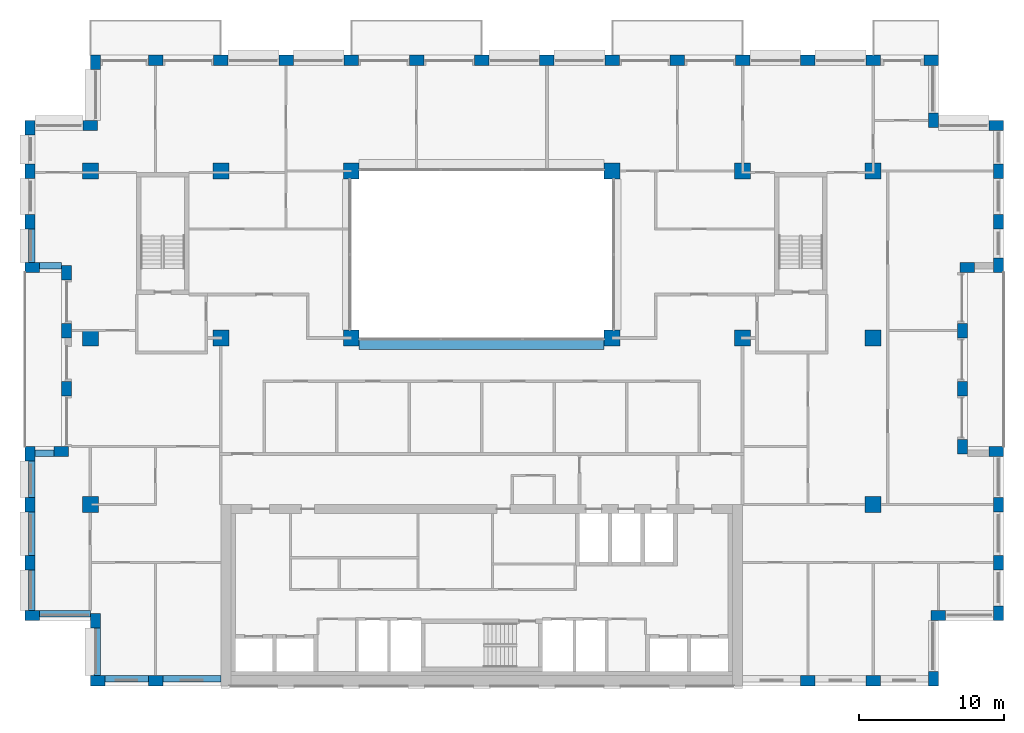
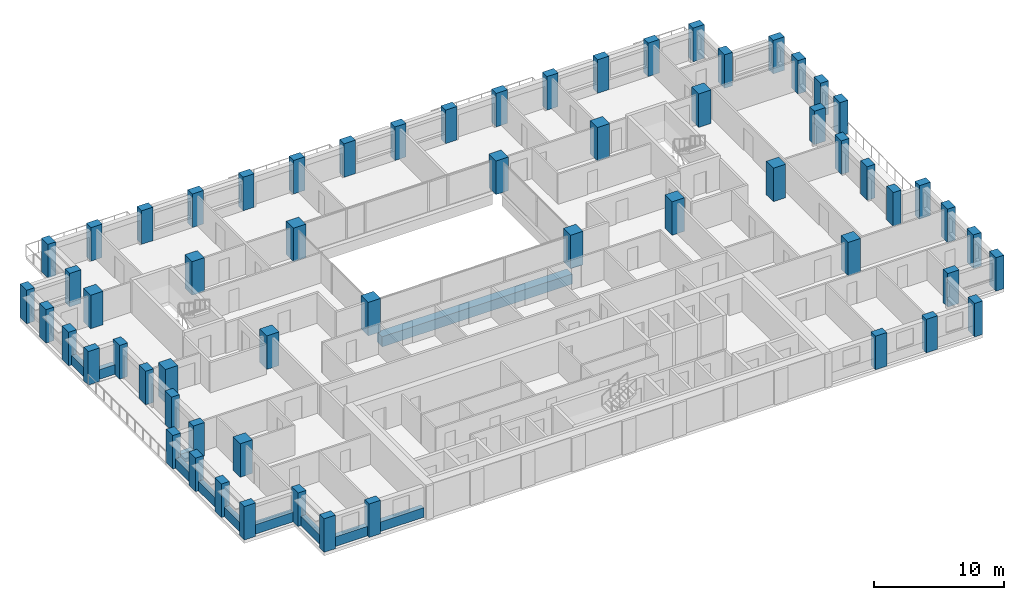
# One storey, part 1 of 15: 61 columns, 11 beams.
"""IFC4 building model written with IfcOpenShell, lengths in metres."""

from ifc_helpers import new_model, si_unit, direction, frame, origin, origin_2d, place, context, subcontext, project, spatial, rectangle, extrude, material, material_profile, profile_set, type_object, element, save


model = new_model("IFC4")

# Units and contexts
model_context = context("Model", 3, precision=1e-05, world=origin(), true_north=direction((0.0, 1.0)))
body_context = subcontext(model_context, "Body", "Model", "MODEL_VIEW")
ifc_project = project(units=[si_unit("LENGTHUNIT", "METRE"), si_unit("AREAUNIT", "SQUARE_METRE"), si_unit("VOLUMEUNIT", "CUBIC_METRE"), si_unit("PLANEANGLEUNIT", "RADIAN"), si_unit("MASSUNIT", "GRAM", prefix="KILO")], contexts=[model_context])

# Site, building, storey
site_placement = place(None, origin())
site = spatial("IfcSite", under=ifc_project, at=site_placement, CompositionType="ELEMENT")
building_placement = place(site_placement, origin())
building = spatial("IfcBuilding", under=site, at=building_placement, Name="Brigalow Station Residences", CompositionType="ELEMENT")
storey_placement = place(building_placement, frame((0.0, 0.0, 153.89990234375)))
storey = spatial("IfcBuildingStorey", under=building, at=storey_placement, Name="L44", CompositionType="ELEMENT", Elevation=153.89990234375)

# Columns
ifc_material_1 = material(Name="Concrete C65", Category="concrete")
ifc_material_profile_1 = material_profile(ifc_material_1, rectangle(XDim=1.10009765625, YDim=1.10009765625, at=origin_2d()), Name="RC1100x1100")
ifc_profile_set_1 = profile_set([ifc_material_profile_1], Name="Concrete C65")
column_type_1 = type_object("IfcColumnType", Name="COLUMN 1100x1100 C65", PredefinedType="COLUMN", material=ifc_profile_set_1)
for number, where, z_axis, x_axis, name in (
    (1, (9.0, 24.0, 0.0), (0.0, 0.0, 1.0), (1.0, 0.0, 0.0), "COLUMN C1 L44"),
    (2, (18.0, 24.0, 0.0), (0.0, 0.0, 1.0), (1.0, 0.0, 0.0), "COLUMN C2 L44"),
    (3, (27.0, 24.0, 0.0), (0.0, 0.0, 1.0), (1.0, 0.0, 0.0), "COLUMN C3 L44"),
    (4, (45.0, 24.0, 0.0), (0.0, 0.0, 1.0), (1.0, 0.0, 0.0), "COLUMN C5 L44"),
    (5, (54.0, 24.0, 0.0), (0.0, 0.0, 1.0), (1.0, 0.0, 0.0), "COLUMN C6 L44"),
    (6, (63.0, 24.0, 0.0), (0.0, 0.0, 1.0), (1.0, 0.0, 0.0), "COLUMN C7 L44"),
    (7, (9.0, 35.5, 0.0), (0.0, 0.0, 1.0), (1.0, 0.0, 0.0), "COLUMN D1 L44"),
    (8, (18.0, 35.5, 0.0), (0.0, 0.0, 1.0), (1.0, 0.0, 0.0), "COLUMN D2 L44"),
    (9, (27.0, 35.5, 0.0), (0.0, 0.0, 1.0), (1.0, 0.0, 0.0), "COLUMN D3 L44"),
    (10, (45.0, 35.5, 0.0), (0.0, 0.0, 1.0), (1.0, 0.0, 0.0), "COLUMN D5 L44"),
    (11, (54.0, 35.5, 0.0), (0.0, 0.0, 1.0), (1.0, 0.0, 0.0), "COLUMN D6 L44"),
    (12, (63.0, 35.5, 0.0), (0.0, 0.0, 1.0), (1.0, 0.0, 0.0), "COLUMN D7 L44"),
    (13, (9.0, 12.5, 0.0), (0.0, 0.0, 1.0), (1.0, 0.0, 0.0), "COLUMN B1 L44"),
    (14, (63.0, 12.5, 0.0), (0.0, 0.0, 1.0), (1.0, 0.0, 0.0), "COLUMN B7 L44"),
):
    element("IfcColumn", number, at=place(storey_placement, frame(where, z_axis=z_axis, x_axis=x_axis)), inside=storey, type_object=column_type_1, Name=name, PredefinedType="COLUMN", context=body_context, shape_type="SweptSolid", body=[
        extrude(rectangle(XDim=1.10009765625, YDim=1.10009765625, at=origin_2d()), origin(), (0.0, 0.0, 1.0), 3.150146484375),
    ])
ifc_material_2 = material(Name="Concrete C65", Category="concrete")
ifc_material_profile_2 = material_profile(ifc_material_2, rectangle(XDim=1.0, YDim=0.699951171875, at=origin_2d()), Name="RC1000x700")
ifc_profile_set_2 = profile_set([ifc_material_profile_2], Name="Concrete C65")
column_type_2 = type_object("IfcColumnType", Name="PIER 1000x700 C65", PredefinedType="USERDEFINED", material=ifc_profile_set_2)
for number, where, z_axis, x_axis, name in (
    (15, (9.5, 0.35009765625, 0.0), (0.0, 0.0, 1.0), (1.0, 0.0, 0.0), "PIER S-1 L44"),
    (16, (13.5, 0.35009765625, 0.0), (0.0, 0.0, 1.0), (1.0, 0.0, 0.0), "PIER S-2 L44"),
    (17, (58.5, 0.35009765625, 0.0), (0.0, 0.0, 1.0), (1.0, 0.0, 0.0), "PIER S-12 L44"),
    (18, (63.0, 0.35009765625, 0.0), (0.0, 0.0, 1.0), (1.0, 0.0, 0.0), "PIER S-13 L44"),
    (19, (67.14990234375, 0.5, 0.0), (0.0, 0.0, 1.0), (0.0, 1.0, 0.0), "PIER SE1-1 L44"),
    (20, (67.5, 4.85009765625, 0.0), (0.0, 0.0, 1.0), (1.0, 0.0, 0.0), "PIER SE2-1 L44"),
    (21, (71.64990234375, 5.0, 0.0), (0.0, 0.0, 1.0), (0.0, 1.0, 0.0), "PIER E1-1 L44"),
    (22, (71.64990234375, 8.5, 0.0), (0.0, 0.0, 1.0), (0.0, 1.0, 0.0), "PIER E1-2 L44"),
    (23, (71.64990234375, 12.5, 0.0), (0.0, 0.0, 1.0), (0.0, 1.0, 0.0), "PIER E1-3 L44"),
    (24, (71.5, 16.14990234375, 0.0), (0.0, 0.0, 1.0), (-1.0, 0.0, 0.0), "PIER EL1-1 L44"),
    (25, (69.14990234375, 16.5, 0.0), (0.0, 0.0, 1.0), (0.0, 1.0, 0.0), "PIER EL2-1 L44"),
    (26, (69.14990234375, 20.5, 0.0), (0.0, 0.0, 1.0), (0.0, 1.0, 0.0), "PIER EL2-2 L44"),
    (27, (69.14990234375, 24.5, 0.0), (0.0, 0.0, 1.0), (0.0, 1.0, 0.0), "PIER EL2-3 L44"),
    (28, (69.5, 28.85009765625, 0.0), (0.0, 0.0, 1.0), (1.0, 0.0, 0.0), "PIER EL3-1 L44"),
    (29, (71.64990234375, 29.0, 0.0), (0.0, 0.0, 1.0), (0.0, 1.0, 0.0), "PIER E2-1 L44"),
    (30, (71.64990234375, 32.0, 0.0), (0.0, 0.0, 1.0), (0.0, 1.0, 0.0), "PIER E2-2 L44"),
    (31, (71.64990234375, 35.5, 0.0), (0.0, 0.0, 1.0), (0.0, 1.0, 0.0), "PIER E2-3 L44"),
    (32, (71.5, 38.64990234375, 0.0), (0.0, 0.0, 1.0), (-1.0, 0.0, 0.0), "PIER NE1-1 L44"),
    (33, (67.14990234375, 39.0, 0.0), (0.0, 0.0, 1.0), (0.0, 1.0, 0.0), "PIER NE2-1 L44"),
    (34, (67.0, 43.14990234375, 0.0), (0.0, 0.0, 1.0), (-1.0, 0.0, 0.0), "PIER N-1 L44"),
    (35, (63.0, 43.14990234375, 0.0), (0.0, 0.0, 1.0), (-1.0, 0.0, 0.0), "PIER N-2 L44"),
    (36, (58.5, 43.14990234375, 0.0), (0.0, 0.0, 1.0), (-1.0, 0.0, 0.0), "PIER N-3 L44"),
    (37, (54.0, 43.14990234375, 0.0), (0.0, 0.0, 1.0), (-1.0, 0.0, 0.0), "PIER N-4 L44"),
    (38, (49.5, 43.14990234375, 0.0), (0.0, 0.0, 1.0), (-1.0, 0.0, 0.0), "PIER N-5 L44"),
    (39, (45.0, 43.14990234375, 0.0), (0.0, 0.0, 1.0), (-1.0, 0.0, 0.0), "PIER N-6 L44"),
    (40, (40.5, 43.14990234375, 0.0), (0.0, 0.0, 1.0), (-1.0, 0.0, 0.0), "PIER N-7 L44"),
    (41, (36.0, 43.14990234375, 0.0), (0.0, 0.0, 1.0), (-1.0, 0.0, 0.0), "PIER N-8 L44"),
    (42, (31.5, 43.14990234375, 0.0), (0.0, 0.0, 1.0), (-1.0, 0.0, 0.0), "PIER N-9 L44"),
    (43, (27.0, 43.14990234375, 0.0), (0.0, 0.0, 1.0), (-1.0, 0.0, 0.0), "PIER N-10 L44"),
    (44, (22.5, 43.14990234375, 0.0), (0.0, 0.0, 1.0), (-1.0, 0.0, 0.0), "PIER N-11 L44"),
    (45, (18.0, 43.14990234375, 0.0), (0.0, 0.0, 1.0), (-1.0, 0.0, 0.0), "PIER N-12 L44"),
    (46, (13.5, 43.14990234375, 0.0), (0.0, 0.0, 1.0), (-1.0, 0.0, 0.0), "PIER N-13 L44"),
    (47, (9.35009765625, 43.0, 0.0), (0.0, 0.0, 1.0), (0.0, -1.0, 0.0), "PIER NW1-1 L44"),
    (48, (9.0, 38.64990234375, 0.0), (0.0, 0.0, 1.0), (-1.0, 0.0, 0.0), "PIER NW2-1 L44"),
    (49, (4.85009765625, 38.5, 0.0), (0.0, 0.0, 1.0), (0.0, -1.0, 0.0), "PIER W2-1 L44"),
    (50, (4.85009765625, 35.5, 0.0), (0.0, 0.0, 1.0), (0.0, -1.0, 0.0), "PIER W2-2 L44"),
    (51, (4.85009765625, 32.0, 0.0), (0.0, 0.0, 1.0), (0.0, -1.0, 0.0), "PIER W2-3 L44"),
    (52, (5.0, 28.85009765625, 0.0), (0.0, 0.0, 1.0), (1.0, 0.0, 0.0), "PIER WL1-1 L44"),
    (53, (7.35009765625, 28.5, 0.0), (0.0, 0.0, 1.0), (0.0, -1.0, 0.0), "PIER WL2-1 L44"),
    (54, (7.35009765625, 24.5, 0.0), (0.0, 0.0, 1.0), (0.0, -1.0, 0.0), "PIER WL2-2 L44"),
    (55, (7.35009765625, 20.5, 0.0), (0.0, 0.0, 1.0), (0.0, -1.0, 0.0), "PIER WL2-3 L44"),
    (56, (7.0, 16.14990234375, 0.0), (0.0, 0.0, 1.0), (-1.0, 0.0, 0.0), "PIER WL3-1 L44"),
    (57, (4.85009765625, 16.0, 0.0), (0.0, 0.0, 1.0), (0.0, -1.0, 0.0), "PIER W1-1 L44"),
    (58, (4.85009765625, 12.5, 0.0), (0.0, 0.0, 1.0), (0.0, -1.0, 0.0), "PIER W1-2 L44"),
    (59, (4.85009765625, 8.5, 0.0), (0.0, 0.0, 1.0), (0.0, -1.0, 0.0), "PIER W1-3 L44"),
    (60, (5.0, 4.85009765625, 0.0), (0.0, 0.0, 1.0), (1.0, 0.0, 0.0), "PIER SW1-1 L44"),
    (61, (9.35009765625, 4.5, 0.0), (0.0, 0.0, 1.0), (0.0, -1.0, 0.0), "PIER SW2-1 L44"),
):
    element("IfcColumn", number, at=place(storey_placement, frame(where, z_axis=z_axis, x_axis=x_axis)), inside=storey, type_object=column_type_2, Name=name, ObjectType="PIER", PredefinedType="USERDEFINED", context=body_context, shape_type="SweptSolid", body=[
        extrude(rectangle(XDim=1.0, YDim=0.699951171875, at=origin_2d()), origin(), (0.0, 0.0, 1.0), 3.150146484375),
    ])

# Beams
ifc_material_3 = material(Name="Concrete C65", Category="concrete")
ifc_material_profile_3 = material_profile(ifc_material_3, rectangle(XDim=0.800048828125, YDim=0.949951171875, at=origin_2d()), Name="RC800x950")
ifc_profile_set_3 = profile_set([ifc_material_profile_3], Name="Concrete C65")
beam_type_1 = type_object("IfcBeamType", Name="ATRIUM EDGE GIRDER OVER 13.5 M SPAN 800x950 C65", PredefinedType="BEAM", material=ifc_profile_set_3)
beam_1_placement = place(storey_placement, frame((27.550048828125, 23.60009765625, -0.794921875), z_axis=(1.0, 0.0, 0.0), x_axis=(0.0, 1.0, 0.0)))
element("IfcBeam", 62, at=beam_1_placement, inside=storey, type_object=beam_type_1, Name="ATRIUM EDGE GIRDER C L44", PredefinedType="BEAM", context=body_context, shape_type="SweptSolid", body=[
    extrude(rectangle(XDim=0.800048828125, YDim=0.949951171875, at=origin_2d()), origin(), (0.0, 0.0, 1.0), 16.89990234375),
])
ifc_material_4 = material(Name="Concrete C50", Category="concrete")
ifc_material_profile_4 = material_profile(ifc_material_4, rectangle(XDim=0.449951171875, YDim=0.89990234375, at=origin_2d()), Name="RC450x900")
ifc_profile_set_4 = profile_set([ifc_material_profile_4], Name="Concrete C50")
beam_type_2 = type_object("IfcBeamType", Name="SPANDREL BEAM 450x900 C50", PredefinedType="SPANDREL", material=ifc_profile_set_4)
beam_2_placement = place(storey_placement, frame((10.0, 0.47509765625, 0.4501953125), z_axis=(1.0, 0.0, 0.0), x_axis=(0.0, 1.0, 0.0)))
element("IfcBeam", 63, at=beam_2_placement, inside=storey, type_object=beam_type_2, Name="L44/spandrel/W-L44-1", PredefinedType="SPANDREL", context=body_context, shape_type="SweptSolid", body=[
    extrude(rectangle(XDim=0.449951171875, YDim=0.89990234375, at=origin_2d()), origin(), (0.0, 0.0, 1.0), 3.0),
])
beam_3_placement = place(storey_placement, frame((14.0, 0.47509765625, 0.4501953125), z_axis=(1.0, 0.0, 0.0), x_axis=(0.0, 1.0, 0.0)))
element("IfcBeam", 64, at=beam_3_placement, inside=storey, type_object=beam_type_2, Name="L44/spandrel/W-L44-2", PredefinedType="SPANDREL", context=body_context, shape_type="SweptSolid", body=[
    extrude(rectangle(XDim=0.449951171875, YDim=0.89990234375, at=origin_2d()), origin(), (0.0, 0.0, 1.0), 4.0),
])
beam_4_placement = place(storey_placement, frame((4.97509765625, 31.5, 0.4501953125), z_axis=(0.0, -1.0, 0.0), x_axis=(1.0, 0.0, 0.0)))
element("IfcBeam", 65, at=beam_4_placement, inside=storey, type_object=beam_type_2, Name="L44/spandrel/W-L44-39", PredefinedType="SPANDREL", context=body_context, shape_type="SweptSolid", body=[
    extrude(rectangle(XDim=0.449951171875, YDim=0.89990234375, at=origin_2d()), origin(), (0.0, 0.0, 1.0), 2.300048828125),
])
beam_5_placement = place(storey_placement, frame((5.5, 28.97509765625, 0.4501953125), z_axis=(1.0, 0.0, 0.0), x_axis=(0.0, 1.0, 0.0)))
element("IfcBeam", 66, at=beam_5_placement, inside=storey, type_object=beam_type_2, Name="L44/spandrel/W-L44-40", PredefinedType="SPANDREL", context=body_context, shape_type="SweptSolid", body=[
    extrude(rectangle(XDim=0.449951171875, YDim=0.89990234375, at=origin_2d()), origin(), (0.0, 0.0, 1.0), 1.5),
])
beam_6_placement = place(storey_placement, frame((6.5, 16.02490234375, 0.4501953125), z_axis=(-1.0, 0.0, 0.0), x_axis=(0.0, -1.0, 0.0)))
element("IfcBeam", 67, at=beam_6_placement, inside=storey, type_object=beam_type_2, Name="L44/spandrel/W-L44-44", PredefinedType="SPANDREL", context=body_context, shape_type="SweptSolid", body=[
    extrude(rectangle(XDim=0.449951171875, YDim=0.89990234375, at=origin_2d()), origin(), (0.0, 0.0, 1.0), 1.300048828125),
])
beam_7_placement = place(storey_placement, frame((4.97509765625, 15.5, 0.4501953125), z_axis=(0.0, -1.0, 0.0), x_axis=(1.0, 0.0, 0.0)))
element("IfcBeam", 68, at=beam_7_placement, inside=storey, type_object=beam_type_2, Name="L44/spandrel/W-L44-45", PredefinedType="SPANDREL", context=body_context, shape_type="SweptSolid", body=[
    extrude(rectangle(XDim=0.449951171875, YDim=0.89990234375, at=origin_2d()), origin(), (0.0, 0.0, 1.0), 2.5),
])
beam_8_placement = place(storey_placement, frame((4.97509765625, 12.0, 0.4501953125), z_axis=(0.0, -1.0, 0.0), x_axis=(1.0, 0.0, 0.0)))
element("IfcBeam", 69, at=beam_8_placement, inside=storey, type_object=beam_type_2, Name="L44/spandrel/W-L44-46", PredefinedType="SPANDREL", context=body_context, shape_type="SweptSolid", body=[
    extrude(rectangle(XDim=0.449951171875, YDim=0.89990234375, at=origin_2d()), origin(), (0.0, 0.0, 1.0), 3.0),
])
beam_9_placement = place(storey_placement, frame((4.97509765625, 8.0, 0.4501953125), z_axis=(0.0, -1.0, 0.0), x_axis=(1.0, 0.0, 0.0)))
element("IfcBeam", 70, at=beam_9_placement, inside=storey, type_object=beam_type_2, Name="L44/spandrel/W-L44-47", PredefinedType="SPANDREL", context=body_context, shape_type="SweptSolid", body=[
    extrude(rectangle(XDim=0.449951171875, YDim=0.89990234375, at=origin_2d()), origin(), (0.0, 0.0, 1.0), 2.800048828125),
])
beam_10_placement = place(storey_placement, frame((5.5, 4.97509765625, 0.4501953125), z_axis=(1.0, 0.0, 0.0), x_axis=(0.0, 1.0, 0.0)))
element("IfcBeam", 71, at=beam_10_placement, inside=storey, type_object=beam_type_2, Name="L44/spandrel/W-L44-48", PredefinedType="SPANDREL", context=body_context, shape_type="SweptSolid", body=[
    extrude(rectangle(XDim=0.449951171875, YDim=0.89990234375, at=origin_2d()), origin(), (0.0, 0.0, 1.0), 3.5),
])
beam_11_placement = place(storey_placement, frame((9.47509765625, 4.0, 0.4501953125), z_axis=(0.0, -1.0, 0.0), x_axis=(1.0, 0.0, 0.0)))
element("IfcBeam", 72, at=beam_11_placement, inside=storey, type_object=beam_type_2, Name="L44/spandrel/W-L44-49", PredefinedType="SPANDREL", context=body_context, shape_type="SweptSolid", body=[
    extrude(rectangle(XDim=0.449951171875, YDim=0.89990234375, at=origin_2d()), origin(), (0.0, 0.0, 1.0), 3.300048828125),
])

save(model, "model.ifc")
